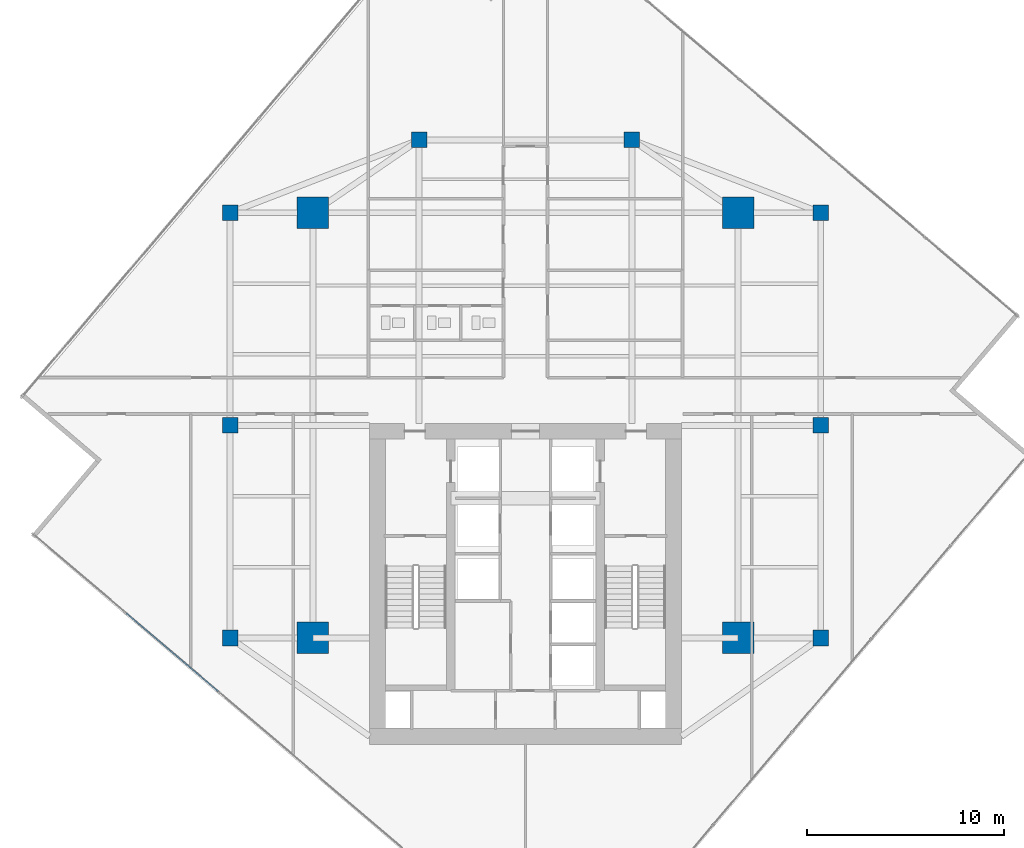
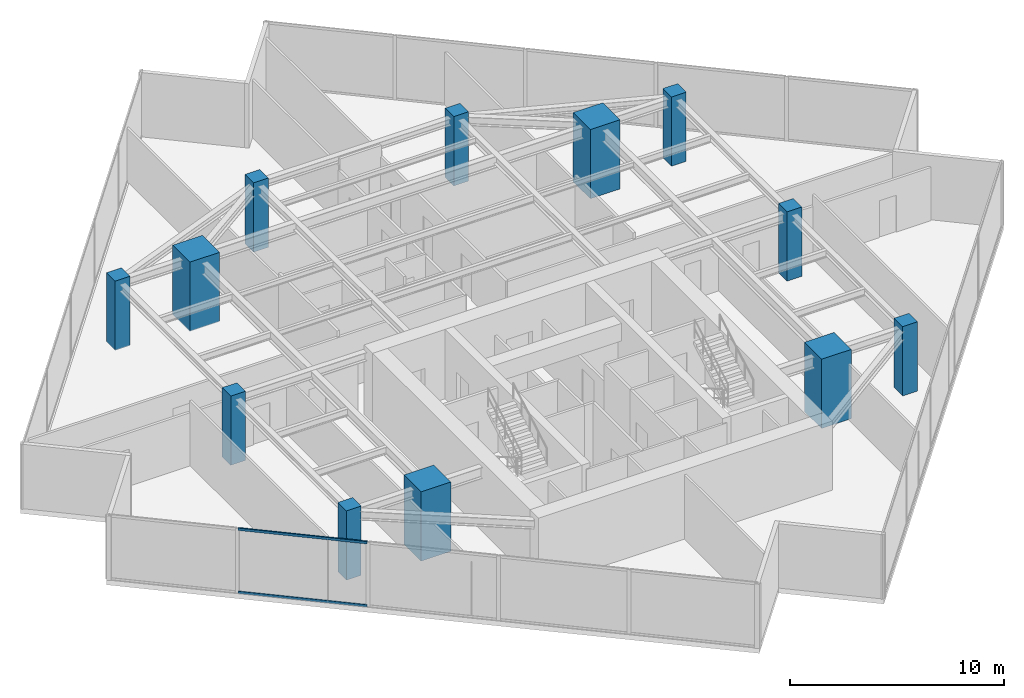
# One storey, part 1 of 26: 12 columns, 2 members, 1 element without a shape of its own.
"""IFC4 building model written with IfcOpenShell, lengths in metres."""

from ifc_helpers import new_model, si_unit, direction, frame, origin, origin_2d, place, context, subcontext, project, spatial, rectangle, hollow_rectangle, extrude, source, transform, mapped, material, material_profile, profile_set, type_object, type_shapes, element, aggregate, save


model = new_model("IFC4")

# Units and contexts
model_context = context("Model", 3, precision=1e-05, world=origin(), true_north=direction((0.0, 1.0)))
body_context = subcontext(model_context, "Body", "Model", "MODEL_VIEW")
ifc_project = project(units=[si_unit("LENGTHUNIT", "METRE"), si_unit("AREAUNIT", "SQUARE_METRE"), si_unit("VOLUMEUNIT", "CUBIC_METRE"), si_unit("PLANEANGLEUNIT", "RADIAN"), si_unit("MASSUNIT", "GRAM", prefix="KILO")], contexts=[model_context])

# Site, building, storey
site_placement = place(None, origin())
site = spatial("IfcSite", under=ifc_project, at=site_placement, CompositionType="ELEMENT")
building_placement = place(site_placement, origin())
building = spatial("IfcBuilding", under=site, at=building_placement, Name="Krantzveldt Concourse Tower", CompositionType="ELEMENT")
storey_placement = place(building_placement, frame((0.0, 0.0, 207.300048828125)))
storey = spatial("IfcBuildingStorey", under=building, at=storey_placement, Name="L50", CompositionType="ELEMENT", Elevation=207.300048828125)

# Columns
ifc_material_1 = material(Name="Concrete C50/60", Category="concrete")
ifc_material_profile_1 = material_profile(ifc_material_1, rectangle(XDim=1.60009765625, YDim=1.60009765625, at=origin_2d()), Name="Concrete C50/60", Category="concrete")
ifc_profile_set_1 = profile_set([ifc_material_profile_1], Name="Concrete C50/60 - RC 1600x1600")
column_type_1 = type_object("IfcColumnType", Name="COL-MC-1600", PredefinedType="USERDEFINED", material=ifc_profile_set_1)
shared_shape_1 = source(origin(), body_context, "Body", "SweptSolid", [
    extrude(rectangle(XDim=1.60009765625, YDim=1.60009765625, at=origin_2d()), origin(), (0.0, 0.0, 1.0), 3.949951171875),
])
type_shapes(column_type_1, [shared_shape_1])
for number, where, z_axis, x_axis, name in (
    (1, (25.199951171875, 15.89990234375, 0.0), (0.0, 0.0, 1.0), (1.0, 0.0, 0.0), "MC-SW-L50"),
    (2, (46.800048828125, 15.89990234375, 0.0), (0.0, 0.0, 1.0), (1.0, 0.0, 0.0), "MC-SE-L50"),
    (3, (46.800048828125, 37.5, 0.0), (0.0, 0.0, 1.0), (1.0, 0.0, 0.0), "MC-NE-L50"),
    (4, (25.199951171875, 37.5, 0.0), (0.0, 0.0, 1.0), (1.0, 0.0, 0.0), "MC-NW-L50"),
):
    element("IfcColumn", number, at=place(storey_placement, frame(where, z_axis=z_axis, x_axis=x_axis)), inside=storey, type_object=column_type_1, Name=name, ObjectType="MEGA COLUMN", PredefinedType="USERDEFINED", context=body_context, shape_type="MappedRepresentation", body=[
        mapped(shared_shape_1, transform((0.0, 0.0, 0.0), x_axis=(1.0, 0.0, 0.0), y_axis=(0.0, 1.0, 0.0), z_axis=(0.0, 0.0, 1.0), scale=1.0)),
    ])
ifc_material_profile_2 = material_profile(ifc_material_1, rectangle(XDim=0.800048828125, YDim=0.800048828125, at=origin_2d()), Name="Concrete C50/60", Category="concrete")
ifc_profile_set_2 = profile_set([ifc_material_profile_2], Name="Concrete C50/60 - RC 800x800")
column_type_2 = type_object("IfcColumnType", Name="COL-C-Z4", PredefinedType="COLUMN", material=ifc_profile_set_2)
shared_shape_2 = source(origin(), body_context, "Body", "SweptSolid", [
    extrude(rectangle(XDim=0.800048828125, YDim=0.800048828125, at=origin_2d()), origin(), (0.0, 0.0, 1.0), 3.949951171875),
])
type_shapes(column_type_2, [shared_shape_2])
for number, where, z_axis, x_axis, name in (
    (5, (21.0, 15.89990234375, 0.0), (0.0, 0.0, 1.0), (1.0, 0.0, 0.0), "PC-R01-L50"),
    (6, (21.0, 26.699951171875, 0.0), (0.0, 0.0, 1.0), (1.0, 0.0, 0.0), "PC-R02-L50"),
    (7, (21.0, 37.5, 0.0), (0.0, 0.0, 1.0), (1.0, 0.0, 0.0), "PC-R03-L50"),
    (8, (30.60009765625, 41.199951171875, 0.0), (0.0, 0.0, 1.0), (1.0, 0.0, 0.0), "PC-R04-L50"),
    (9, (41.39990234375, 41.199951171875, 0.0), (0.0, 0.0, 1.0), (1.0, 0.0, 0.0), "PC-R05-L50"),
    (10, (51.0, 37.5, 0.0), (0.0, 0.0, 1.0), (1.0, 0.0, 0.0), "PC-R06-L50"),
    (11, (51.0, 26.699951171875, 0.0), (0.0, 0.0, 1.0), (1.0, 0.0, 0.0), "PC-R07-L50"),
    (12, (51.0, 15.89990234375, 0.0), (0.0, 0.0, 1.0), (1.0, 0.0, 0.0), "PC-R08-L50"),
):
    element("IfcColumn", number, at=place(storey_placement, frame(where, z_axis=z_axis, x_axis=x_axis)), inside=storey, type_object=column_type_2, Name=name, PredefinedType="COLUMN", context=body_context, shape_type="MappedRepresentation", body=[
        mapped(shared_shape_2, transform((0.0, 0.0, 0.0), x_axis=(1.0, 0.0, 0.0), y_axis=(0.0, 1.0, 0.0), z_axis=(0.0, 0.0, 1.0), scale=1.0)),
    ])

# Curtain wall, members
ifc_material_2 = material(Name="Anodised aluminium 6063-T6", Category="aluminium")
curtain_wall_type = type_object("IfcCurtainWallType", Name="CW3", PredefinedType="USERDEFINED", material=ifc_material_2)
curtain_wall_placement = place(storey_placement, origin())
curtain_wall = element("IfcCurtainWall", 13, at=curtain_wall_placement, inside=storey, type_object=curtain_wall_type, Name="CW-L50-F04", ObjectType="UNITISED CURTAIN WALL", PredefinedType="USERDEFINED")
ifc_material_profile_3 = material_profile(ifc_material_2, hollow_rectangle(XDim=0.070068359375, YDim=0.139892578125, WallThickness=0.0048828125, at=origin_2d()), Name="Anodised aluminium 6063-T6", Category="aluminium")
ifc_profile_set_3 = profile_set([ifc_material_profile_3], Name="Anodised aluminium 6063-T6 - ALU-TRAN 140x70x5")
member_type = type_object("IfcMemberType", Name="CW-TRN-150", PredefinedType="USERDEFINED", material=ifc_profile_set_3)
shared_shape_3 = source(origin(), body_context, "Body", "SweptSolid", [
    extrude(hollow_rectangle(XDim=0.070068359375, YDim=0.139892578125, WallThickness=0.0048828125, at=origin_2d()), origin(), (0.0, 0.0, 1.0), 6.1298828125),
])
type_shapes(member_type, [shared_shape_3])
member_1_placement = place(storey_placement, frame((15.720458984375, 17.153076171875, 0.034912109375), z_axis=(0.761817452252, -0.647791763952, 0.0), x_axis=(0.647791763952, 0.761817452252, 0.0)))
member_1 = element("IfcMember", 14, at=member_1_placement, type_object=member_type, Name="CW-Z34 transom 2.1", ObjectType="TRANSOM", PredefinedType="USERDEFINED", context=body_context, shape_type="MappedRepresentation", body=[
    mapped(shared_shape_3, transform((0.0, 0.0, 0.0), x_axis=(1.0, 0.0, 0.0), y_axis=(0.0, 1.0, 0.0), z_axis=(0.0, 0.0, 1.0), scale=1.0)),
])
member_2_placement = place(storey_placement, frame((15.720458984375, 17.153076171875, 3.635009765625), z_axis=(0.761817452252, -0.647791763952, 0.0), x_axis=(0.647791763952, 0.761817452252, 0.0)))
member_2 = element("IfcMember", 15, at=member_2_placement, type_object=member_type, Name="CW-Z34 transom 2.2", ObjectType="TRANSOM", PredefinedType="USERDEFINED", context=body_context, shape_type="MappedRepresentation", body=[
    mapped(shared_shape_3, transform((0.0, 0.0, 0.0), x_axis=(1.0, 0.0, 0.0), y_axis=(0.0, 1.0, 0.0), z_axis=(0.0, 0.0, 1.0), scale=1.0)),
])
aggregate(curtain_wall, [member_1, member_2])

save(model, "model.ifc")
